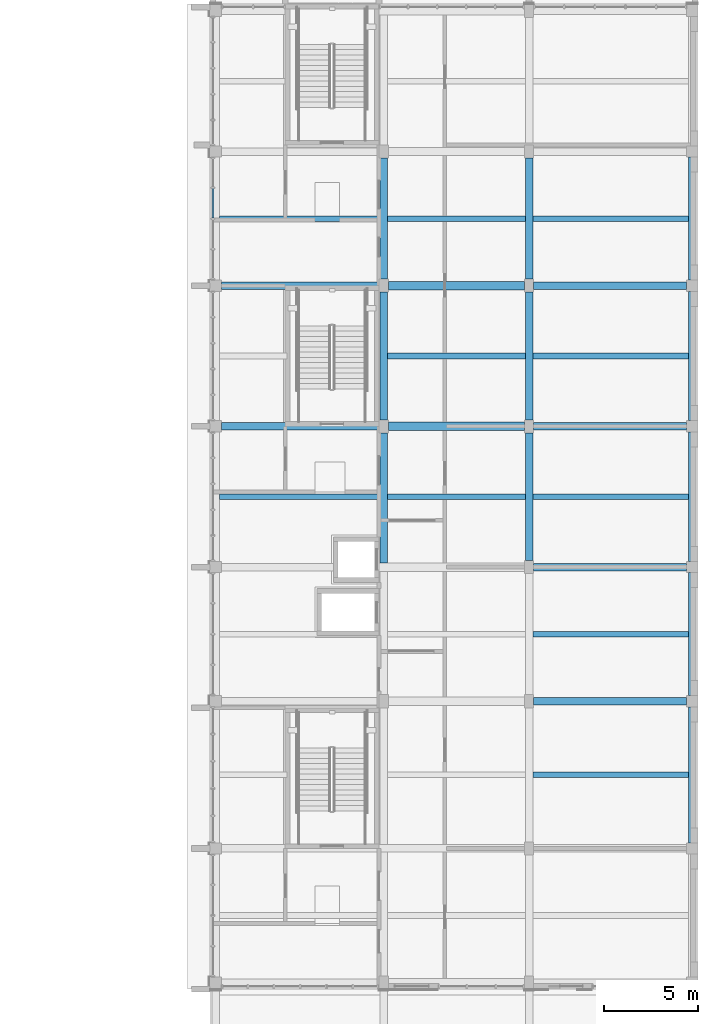
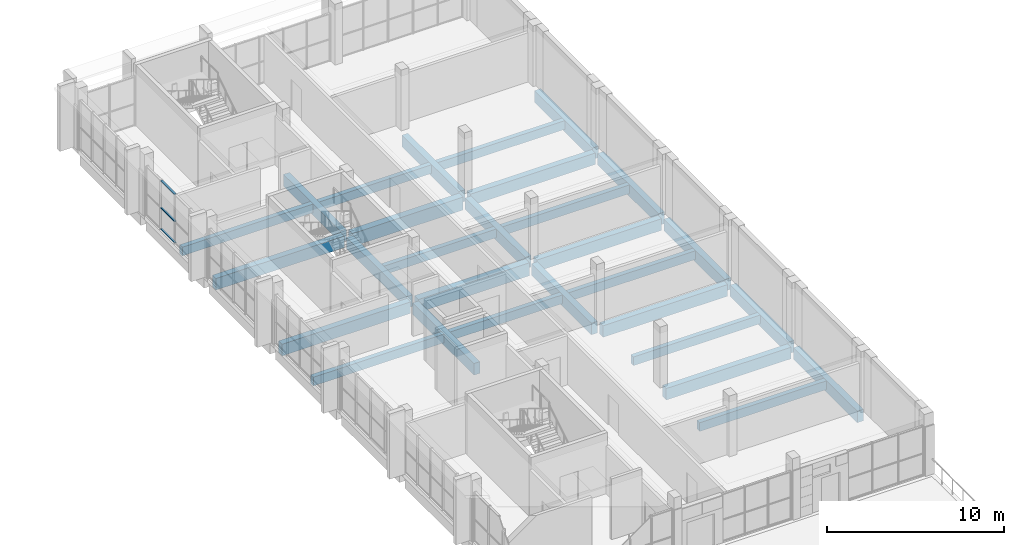
# One storey, part 15 of 42: 29 beams, 3 members, 1 element without a shape of its own.
"""IFC4 building model written with IfcOpenShell, lengths in metres."""

from ifc_helpers import new_model, si_unit, direction, frame, origin, origin_2d, place, context, subcontext, project, spatial, rectangle, hollow_rectangle, extrude, material, material_profile, profile_set, type_object, element, aggregate, save


model = new_model("IFC4")

# Units and contexts
model_context = context("Model", 3, precision=1e-05, world=origin(), true_north=direction((0.0, 1.0)))
body_context = subcontext(model_context, "Body", "Model", "MODEL_VIEW")
ifc_project = project(units=[si_unit("LENGTHUNIT", "METRE"), si_unit("AREAUNIT", "SQUARE_METRE"), si_unit("VOLUMEUNIT", "CUBIC_METRE"), si_unit("PLANEANGLEUNIT", "RADIAN"), si_unit("MASSUNIT", "GRAM", prefix="KILO")], contexts=[model_context])

# Site, building, storey
site_placement = place(None, origin())
site = spatial("IfcSite", under=ifc_project, at=site_placement, CompositionType="ELEMENT")
building_placement = place(site_placement, origin())
building = spatial("IfcBuilding", under=site, at=building_placement, Name="Sun Court Science Centre", CompositionType="ELEMENT")
storey_placement = place(building_placement, frame((0.0, 0.0, 20.25)))
storey = spatial("IfcBuildingStorey", under=building, at=storey_placement, Name="L04", CompositionType="ELEMENT", Elevation=20.25)

# Curtain wall, members
ifc_material_1 = material(Name="Aluminium EN AW-6063 T6", Category="aluminium")
curtain_wall_type = type_object("IfcCurtainWallType", Name="Laboratory tall bay curtain wall 1500", PredefinedType="NOTDEFINED", material=ifc_material_1)
curtain_wall_placement = place(storey_placement, origin())
curtain_wall = element("IfcCurtainWall", 1, at=curtain_wall_placement, inside=storey, type_object=curtain_wall_type, Name="Curtain wall V4 W L04 06", PredefinedType="NOTDEFINED")
ifc_material_2 = material(Name="Aluminium EN AW-6063 T6", Category="aluminium")
ifc_material_profile_1 = material_profile(ifc_material_2, hollow_rectangle(XDim=0.06005859375, YDim=0.1201171875, WallThickness=0.00390625, InnerFilletRadius=0.00390625, OuterFilletRadius=0.006103515625, at=origin_2d()), Name="AL 60x120x4")
ifc_profile_set_1 = profile_set([ifc_material_profile_1], Name="Aluminium EN AW-6063 T6")
member_type = type_object("IfcMemberType", Name="Curtain wall transom AL 60x120", PredefinedType="USERDEFINED", material=ifc_profile_set_1)
member_1_placement = place(storey_placement, frame((78.14990234375, 69.60498046875, 0.030029296875), z_axis=(0.0, 1.0, 0.0), x_axis=(0.0, 0.0, 1.0)))
member_1 = element("IfcMember", 2, at=member_1_placement, type_object=member_type, Name="CW2-42 transom 3.1", ObjectType="TRANSOM", PredefinedType="USERDEFINED", context=body_context, shape_type="SweptSolid", body=[
    extrude(hollow_rectangle(XDim=0.06005859375, YDim=0.1201171875, WallThickness=0.00390625, InnerFilletRadius=0.00390625, OuterFilletRadius=0.006103515625, at=origin_2d()), origin(), (0.0, 0.0, 1.0), 1.57763671875),
])
member_2_placement = place(storey_placement, frame((78.14990234375, 69.60498046875, 1.5), z_axis=(0.0, 1.0, 0.0), x_axis=(0.0, 0.0, 1.0)))
member_2 = element("IfcMember", 3, at=member_2_placement, type_object=member_type, Name="CW2-42 transom 3.2", ObjectType="TRANSOM", PredefinedType="USERDEFINED", context=body_context, shape_type="SweptSolid", body=[
    extrude(hollow_rectangle(XDim=0.06005859375, YDim=0.1201171875, WallThickness=0.00390625, InnerFilletRadius=0.00390625, OuterFilletRadius=0.006103515625, at=origin_2d()), origin(), (0.0, 0.0, 1.0), 1.57763671875),
])
member_3_placement = place(storey_placement, frame((78.14990234375, 69.60498046875, 3.3701171875), z_axis=(0.0, 1.0, 0.0), x_axis=(0.0, 0.0, 1.0)))
member_3 = element("IfcMember", 4, at=member_3_placement, type_object=member_type, Name="CW2-42 transom 3.3", ObjectType="TRANSOM", PredefinedType="USERDEFINED", context=body_context, shape_type="SweptSolid", body=[
    extrude(hollow_rectangle(XDim=0.06005859375, YDim=0.1201171875, WallThickness=0.00390625, InnerFilletRadius=0.00390625, OuterFilletRadius=0.006103515625, at=origin_2d()), origin(), (0.0, 0.0, 1.0), 1.57763671875),
])
aggregate(curtain_wall, [member_1, member_2, member_3])

# Beams
ifc_material_3 = material(Name="Concrete C25/30", Category="concrete")
ifc_material_profile_2 = material_profile(ifc_material_3, rectangle(XDim=0.39990234375, YDim=0.800048828125, at=origin_2d()), Name="RC 400x800")
ifc_profile_set_2 = profile_set([ifc_material_profile_2], Name="Concrete C25/30")
beam_type_1 = type_object("IfcBeamType", Name="RC girder 400x800", PredefinedType="BEAM", material=ifc_profile_set_2)
for number, where, z_axis, x_axis, name in (
    (5, (95.25, 43.85009765625, -0.699951171875), (1.0, 0.0, 0.0), (0.0, 1.0, 0.0), "Girder L04 row 6"),
    (6, (95.25, 51.0, -0.699951171875), (1.0, 0.0, 0.0), (0.0, 1.0, 0.0), "Girder L04 row 7"),
):
    element("IfcBeam", number, at=place(storey_placement, frame(where, z_axis=z_axis, x_axis=x_axis)), inside=storey, type_object=beam_type_1, Name=name, PredefinedType="BEAM", context=body_context, shape_type="SweptSolid", body=[
        extrude(rectangle(XDim=0.39990234375, YDim=0.800048828125, at=origin_2d()), origin(), (0.0, 0.0, 1.0), 8.14990234375),
    ])
beam_1_placement = place(storey_placement, frame((78.60009765625, 58.5, -0.699951171875), z_axis=(1.0, 0.0, 0.0), x_axis=(0.0, 1.0, 0.0)))
element("IfcBeam", 7, at=beam_1_placement, inside=storey, type_object=beam_type_1, Name="Girder L04 row 8", PredefinedType="BEAM", context=body_context, shape_type="SweptSolid", body=[
    extrude(rectangle(XDim=0.39990234375, YDim=0.800048828125, at=origin_2d()), origin(), (0.0, 0.0, 1.0), 8.39990234375),
])
beam_2_placement = place(storey_placement, frame((95.25, 58.5, -0.699951171875), z_axis=(1.0, 0.0, 0.0), x_axis=(0.0, 1.0, 0.0)))
element("IfcBeam", 8, at=beam_2_placement, inside=storey, type_object=beam_type_1, Name="Girder L04 row 8", PredefinedType="BEAM", context=body_context, shape_type="SweptSolid", body=[
    extrude(rectangle(XDim=0.39990234375, YDim=0.800048828125, at=origin_2d()), origin(), (0.0, 0.0, 1.0), 8.14990234375),
])
beam_3_placement = place(storey_placement, frame((78.60009765625, 66.0, -0.699951171875), z_axis=(1.0, 0.0, 0.0), x_axis=(0.0, 1.0, 0.0)))
element("IfcBeam", 9, at=beam_3_placement, inside=storey, type_object=beam_type_1, Name="Girder L04 row 9", PredefinedType="BEAM", context=body_context, shape_type="SweptSolid", body=[
    extrude(rectangle(XDim=0.39990234375, YDim=0.800048828125, at=origin_2d()), origin(), (0.0, 0.0, 1.0), 8.39990234375),
])
beam_4_placement = place(storey_placement, frame((95.25, 66.0, -0.699951171875), z_axis=(1.0, 0.0, 0.0), x_axis=(0.0, 1.0, 0.0)))
element("IfcBeam", 10, at=beam_4_placement, inside=storey, type_object=beam_type_1, Name="Girder L04 row 9", PredefinedType="BEAM", context=body_context, shape_type="SweptSolid", body=[
    extrude(rectangle(XDim=0.39990234375, YDim=0.800048828125, at=origin_2d()), origin(), (0.0, 0.0, 1.0), 8.14990234375),
])
beam_5_placement = place(storey_placement, frame((87.25, 51.22509765625, -0.699951171875), z_axis=(0.0, 1.0, 0.0), x_axis=(-1.0, 0.0, 0.0)))
element("IfcBeam", 11, at=beam_5_placement, inside=storey, type_object=beam_type_1, Name="Girder L04 line 2", PredefinedType="BEAM", context=body_context, shape_type="SweptSolid", body=[
    extrude(rectangle(XDim=0.39990234375, YDim=0.800048828125, at=origin_2d()), origin(), (0.0, 0.0, 1.0), 6.9248046875),
])
beam_6_placement = place(storey_placement, frame((87.25, 58.85009765625, -0.699951171875), z_axis=(0.0, 1.0, 0.0), x_axis=(-1.0, 0.0, 0.0)))
element("IfcBeam", 12, at=beam_6_placement, inside=storey, type_object=beam_type_1, Name="Girder L04 line 2", PredefinedType="BEAM", context=body_context, shape_type="SweptSolid", body=[
    extrude(rectangle(XDim=0.39990234375, YDim=0.800048828125, at=origin_2d()), origin(), (0.0, 0.0, 1.0), 6.7998046875),
])
beam_7_placement = place(storey_placement, frame((87.25, 66.35009765625, -0.699951171875), z_axis=(0.0, 1.0, 0.0), x_axis=(-1.0, 0.0, 0.0)))
element("IfcBeam", 13, at=beam_7_placement, inside=storey, type_object=beam_type_1, Name="Girder L04 line 2", PredefinedType="BEAM", context=body_context, shape_type="SweptSolid", body=[
    extrude(rectangle(XDim=0.39990234375, YDim=0.800048828125, at=origin_2d()), origin(), (0.0, 0.0, 1.0), 6.449951171875),
])
for number, where, z_axis, x_axis, name in (
    (14, (95.0, 51.35009765625, -0.699951171875), (0.0, 1.0, 0.0), (-1.0, 0.0, 0.0), "Girder L04 line 3"),
    (15, (95.0, 58.85009765625, -0.699951171875), (0.0, 1.0, 0.0), (-1.0, 0.0, 0.0), "Girder L04 line 3"),
):
    element("IfcBeam", number, at=place(storey_placement, frame(where, z_axis=z_axis, x_axis=x_axis)), inside=storey, type_object=beam_type_1, Name=name, PredefinedType="BEAM", context=body_context, shape_type="SweptSolid", body=[
        extrude(rectangle(XDim=0.39990234375, YDim=0.800048828125, at=origin_2d()), origin(), (0.0, 0.0, 1.0), 6.7998046875),
    ])
beam_8_placement = place(storey_placement, frame((95.0, 66.35009765625, -0.699951171875), z_axis=(0.0, 1.0, 0.0), x_axis=(-1.0, 0.0, 0.0)))
element("IfcBeam", 16, at=beam_8_placement, inside=storey, type_object=beam_type_1, Name="Girder L04 line 3", PredefinedType="BEAM", context=body_context, shape_type="SweptSolid", body=[
    extrude(rectangle(XDim=0.39990234375, YDim=0.800048828125, at=origin_2d()), origin(), (0.0, 0.0, 1.0), 6.449951171875),
])
beam_9_placement = place(storey_placement, frame((103.699951171875, 36.300048828125, -0.699951171875), z_axis=(0.0, 1.0, 0.0), x_axis=(-1.0, 0.0, 0.0)))
element("IfcBeam", 17, at=beam_9_placement, inside=storey, type_object=beam_type_1, Name="Girder L04 line 4", PredefinedType="BEAM", context=body_context, shape_type="SweptSolid", body=[
    extrude(rectangle(XDim=0.39990234375, YDim=0.800048828125, at=origin_2d()), origin(), (0.0, 0.0, 1.0), 7.25),
])
beam_10_placement = place(storey_placement, frame((103.699951171875, 44.14990234375, -0.699951171875), z_axis=(0.0, 1.0, 0.0), x_axis=(-1.0, 0.0, 0.0)))
element("IfcBeam", 18, at=beam_10_placement, inside=storey, type_object=beam_type_1, Name="Girder L04 line 4", PredefinedType="BEAM", context=body_context, shape_type="SweptSolid", body=[
    extrude(rectangle(XDim=0.39990234375, YDim=0.800048828125, at=origin_2d()), origin(), (0.0, 0.0, 1.0), 6.550048828125),
])
for number, where, z_axis, x_axis, name in (
    (19, (103.699951171875, 51.300048828125, -0.699951171875), (0.0, 1.0, 0.0), (-1.0, 0.0, 0.0), "Girder L04 line 4"),
    (20, (103.699951171875, 58.800048828125, -0.699951171875), (0.0, 1.0, 0.0), (-1.0, 0.0, 0.0), "Girder L04 line 4"),
):
    element("IfcBeam", number, at=place(storey_placement, frame(where, z_axis=z_axis, x_axis=x_axis)), inside=storey, type_object=beam_type_1, Name=name, PredefinedType="BEAM", context=body_context, shape_type="SweptSolid", body=[
        extrude(rectangle(XDim=0.39990234375, YDim=0.800048828125, at=origin_2d()), origin(), (0.0, 0.0, 1.0), 6.89990234375),
    ])
beam_11_placement = place(storey_placement, frame((103.699951171875, 66.300048828125, -0.699951171875), z_axis=(0.0, 1.0, 0.0), x_axis=(-1.0, 0.0, 0.0)))
element("IfcBeam", 21, at=beam_11_placement, inside=storey, type_object=beam_type_1, Name="Girder L04 line 4", PredefinedType="BEAM", context=body_context, shape_type="SweptSolid", body=[
    extrude(rectangle(XDim=0.39990234375, YDim=0.800048828125, at=origin_2d()), origin(), (0.0, 0.0, 1.0), 6.550048828125),
])
ifc_material_4 = material(Name="Concrete C25/30", Category="concrete")
ifc_material_profile_3 = material_profile(ifc_material_4, rectangle(XDim=0.449951171875, YDim=0.89990234375, at=origin_2d()), Name="RC 450x900")
ifc_profile_set_3 = profile_set([ifc_material_profile_3], Name="Concrete C25/30")
beam_type_2 = type_object("IfcBeamType", Name="RC girder 450x900", PredefinedType="BEAM", material=ifc_profile_set_3)
for number, where, z_axis, x_axis, name in (
    (22, (87.5, 58.5, -0.75), (1.0, 0.0, 0.0), (0.0, 1.0, 0.0), "Girder L04 row 8"),
    (23, (87.5, 66.0, -0.75), (1.0, 0.0, 0.0), (0.0, 1.0, 0.0), "Girder L04 row 9"),
):
    element("IfcBeam", number, at=place(storey_placement, frame(where, z_axis=z_axis, x_axis=x_axis)), inside=storey, type_object=beam_type_2, Name=name, PredefinedType="BEAM", context=body_context, shape_type="SweptSolid", body=[
        extrude(rectangle(XDim=0.449951171875, YDim=0.89990234375, at=origin_2d()), origin(), (0.0, 0.0, 1.0), 7.25),
    ])
ifc_material_5 = material(Name="Concrete C25/30", Category="concrete")
ifc_material_profile_4 = material_profile(ifc_material_5, rectangle(XDim=0.300048828125, YDim=0.60009765625, at=origin_2d()), Name="RC 300x600")
ifc_profile_set_4 = profile_set([ifc_material_profile_4], Name="Concrete C25/30")
beam_type_3 = type_object("IfcBeamType", Name="RC joist 300x600", PredefinedType="JOIST", material=ifc_profile_set_4)
for number, where, z_axis, x_axis, name in (
    (24, (95.199951171875, 39.925048828125, -0.60009765625), (1.0, 0.0, 0.0), (0.0, 1.0, 0.0), "Joist L04"),
    (25, (95.199951171875, 47.425048828125, -0.60009765625), (1.0, 0.0, 0.0), (0.0, 1.0, 0.0), "Joist L04"),
):
    element("IfcBeam", number, at=place(storey_placement, frame(where, z_axis=z_axis, x_axis=x_axis)), inside=storey, type_object=beam_type_3, Name=name, PredefinedType="JOIST", context=body_context, shape_type="SweptSolid", body=[
        extrude(rectangle(XDim=0.300048828125, YDim=0.60009765625, at=origin_2d()), origin(), (0.0, 0.0, 1.0), 8.300048828125),
    ])
beam_12_placement = place(storey_placement, frame((78.5, 54.75, -0.60009765625), z_axis=(1.0, 0.0, 0.0), x_axis=(0.0, 1.0, 0.0)))
element("IfcBeam", 26, at=beam_12_placement, inside=storey, type_object=beam_type_3, Name="Joist L04", PredefinedType="JOIST", context=body_context, shape_type="SweptSolid", body=[
    extrude(rectangle(XDim=0.300048828125, YDim=0.60009765625, at=origin_2d()), origin(), (0.0, 0.0, 1.0), 8.550048828125),
])
beam_13_placement = place(storey_placement, frame((87.449951171875, 54.75, -0.60009765625), z_axis=(1.0, 0.0, 0.0), x_axis=(0.0, 1.0, 0.0)))
element("IfcBeam", 27, at=beam_13_placement, inside=storey, type_object=beam_type_3, Name="Joist L04", PredefinedType="JOIST", context=body_context, shape_type="SweptSolid", body=[
    extrude(rectangle(XDim=0.300048828125, YDim=0.60009765625, at=origin_2d()), origin(), (0.0, 0.0, 1.0), 7.35009765625),
])
beam_14_placement = place(storey_placement, frame((95.199951171875, 54.75, -0.60009765625), z_axis=(1.0, 0.0, 0.0), x_axis=(0.0, 1.0, 0.0)))
element("IfcBeam", 28, at=beam_14_placement, inside=storey, type_object=beam_type_3, Name="Joist L04", PredefinedType="JOIST", context=body_context, shape_type="SweptSolid", body=[
    extrude(rectangle(XDim=0.300048828125, YDim=0.60009765625, at=origin_2d()), origin(), (0.0, 0.0, 1.0), 8.300048828125),
])
beam_15_placement = place(storey_placement, frame((87.449951171875, 62.25, -0.60009765625), z_axis=(1.0, 0.0, 0.0), x_axis=(0.0, 1.0, 0.0)))
element("IfcBeam", 29, at=beam_15_placement, inside=storey, type_object=beam_type_3, Name="Joist L04", PredefinedType="JOIST", context=body_context, shape_type="SweptSolid", body=[
    extrude(rectangle(XDim=0.300048828125, YDim=0.60009765625, at=origin_2d()), origin(), (0.0, 0.0, 1.0), 7.35009765625),
])
beam_16_placement = place(storey_placement, frame((95.199951171875, 62.25, -0.60009765625), z_axis=(1.0, 0.0, 0.0), x_axis=(0.0, 1.0, 0.0)))
element("IfcBeam", 30, at=beam_16_placement, inside=storey, type_object=beam_type_3, Name="Joist L04", PredefinedType="JOIST", context=body_context, shape_type="SweptSolid", body=[
    extrude(rectangle(XDim=0.300048828125, YDim=0.60009765625, at=origin_2d()), origin(), (0.0, 0.0, 1.0), 8.300048828125),
])
beam_17_placement = place(storey_placement, frame((78.5, 69.574951171875, -0.60009765625), z_axis=(1.0, 0.0, 0.0), x_axis=(0.0, 1.0, 0.0)))
element("IfcBeam", 31, at=beam_17_placement, inside=storey, type_object=beam_type_3, Name="Joist L04", PredefinedType="JOIST", context=body_context, shape_type="SweptSolid", body=[
    extrude(rectangle(XDim=0.300048828125, YDim=0.60009765625, at=origin_2d()), origin(), (0.0, 0.0, 1.0), 8.550048828125),
])
beam_18_placement = place(storey_placement, frame((87.449951171875, 69.574951171875, -0.60009765625), z_axis=(1.0, 0.0, 0.0), x_axis=(0.0, 1.0, 0.0)))
element("IfcBeam", 32, at=beam_18_placement, inside=storey, type_object=beam_type_3, Name="Joist L04", PredefinedType="JOIST", context=body_context, shape_type="SweptSolid", body=[
    extrude(rectangle(XDim=0.300048828125, YDim=0.60009765625, at=origin_2d()), origin(), (0.0, 0.0, 1.0), 7.35009765625),
])
beam_19_placement = place(storey_placement, frame((95.199951171875, 69.574951171875, -0.60009765625), z_axis=(1.0, 0.0, 0.0), x_axis=(0.0, 1.0, 0.0)))
element("IfcBeam", 33, at=beam_19_placement, inside=storey, type_object=beam_type_3, Name="Joist L04", PredefinedType="JOIST", context=body_context, shape_type="SweptSolid", body=[
    extrude(rectangle(XDim=0.300048828125, YDim=0.60009765625, at=origin_2d()), origin(), (0.0, 0.0, 1.0), 8.300048828125),
])

save(model, "model.ifc")
